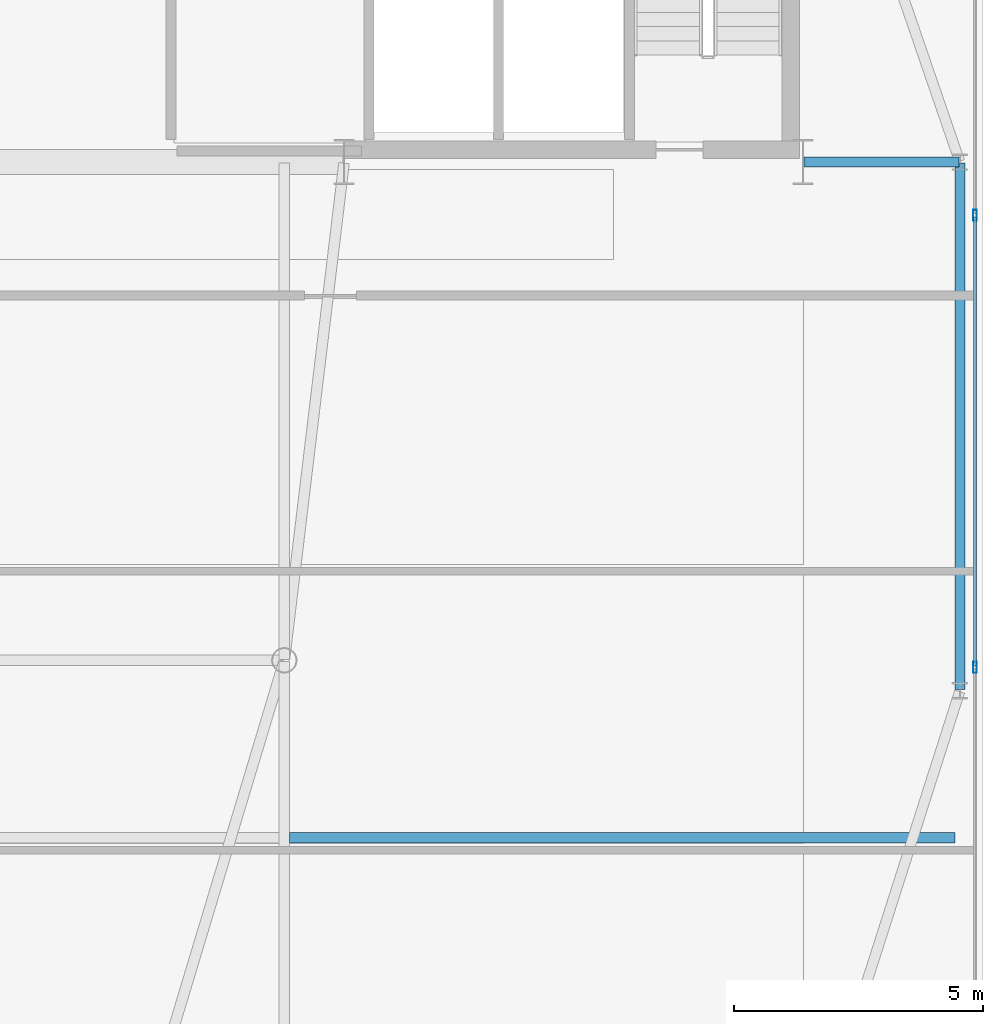
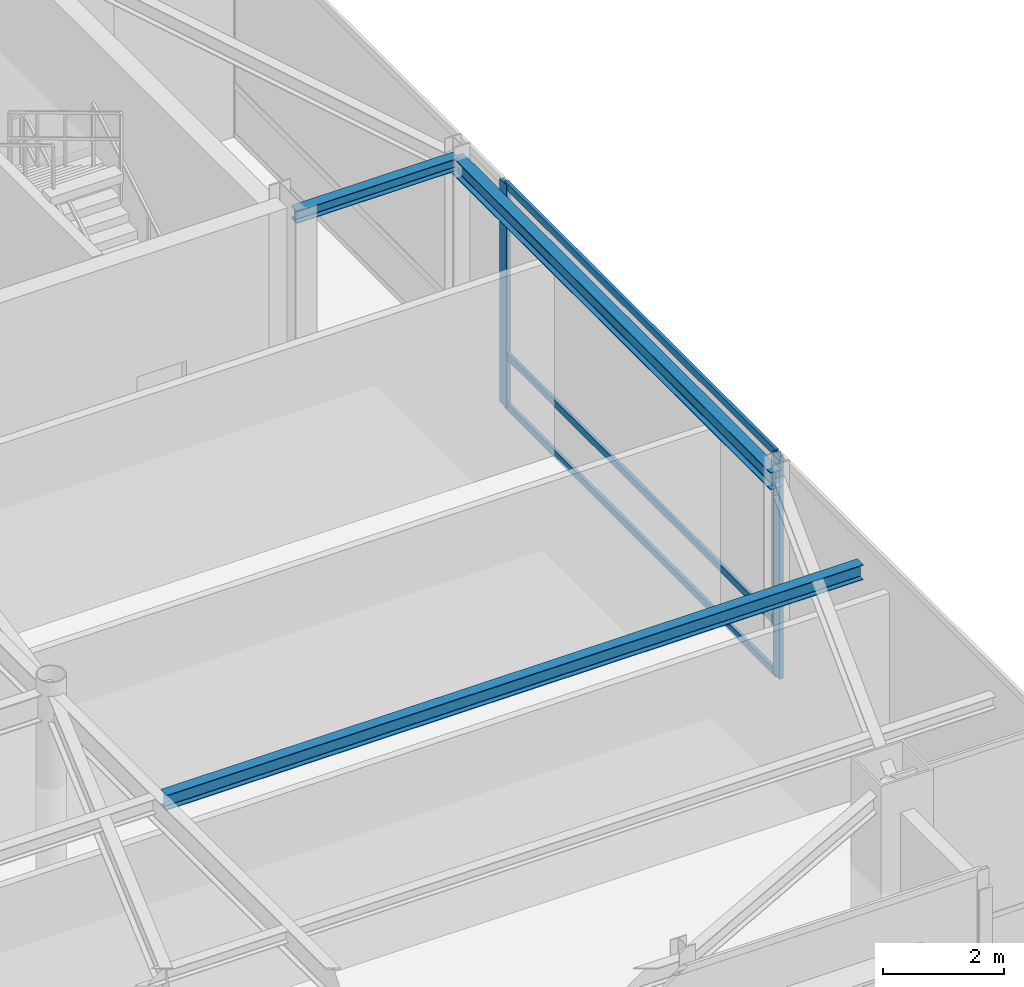
# One storey, part 15 of 21: 5 members, 3 beams, 1 element without a shape of its own.
"""IFC4 building model written with IfcOpenShell, lengths in metres."""

import ifcopenshell
import ifcopenshell.guid

model = None  # the IFC model being written
_history = None  # IfcOwnerHistory: only IFC2X3 demands one
_inside = {}  # id of a spatial element -> (the spatial element, [elements in it])
_under = {}  # id of a project, library or spatial element -> (it, [spatial elements below it])
_declared = {}  # id of a project -> (the project, [libraries it declares])
_typed = {}  # id of a type object -> (the type object, [elements of that type])
_made_of = {}  # id of a material, layer set ... -> (it, [elements and type objects made of it])


def new_model(schema):
    """Start an empty IFC model of exactly this schema.

    Asked for "IFC4X3", IfcOpenShell would pick the latest addendum, in which some entities
    have other attributes; the version numbers below select the first issue.
    IFC2X3 requires an IfcOwnerHistory on every rooted entity: one is made here for all.
    """
    global model, _history
    if schema == "IFC4X3":
        model = ifcopenshell.file(schema_version=(4, 3, 0, 0))
    else:
        model = ifcopenshell.file(schema=schema)
    _inside.clear()
    _under.clear()
    _declared.clear()
    _typed.clear()
    _made_of.clear()
    _history = None
    if model.schema == "IFC2X3":
        org = make("IfcOrganization", Name="unknown")
        user = make(
            "IfcPersonAndOrganization",
            ThePerson=make("IfcPerson", FamilyName="unknown"),
            TheOrganization=org,
        )
        app = make(
            "IfcApplication",
            ApplicationDeveloper=org,
            Version="unknown",
            ApplicationFullName="unknown",
            ApplicationIdentifier="unknown",
        )
        _history = make(
            "IfcOwnerHistory",
            OwningUser=user,
            OwningApplication=app,
            ChangeAction="ADDED",
            CreationDate=0,
        )
    return model


def make(cls, **values):
    """One entity of the class cls with the attributes given. An attribute that is None is left unset."""
    return model.create_entity(
        cls, **{name: value for name, value in values.items() if value is not None}
    )


def rooted(cls, **values):
    """An entity with a GlobalId (a new one), such as an element, a storey or a relation."""
    return make(cls, GlobalId=ifcopenshell.guid.new(), OwnerHistory=_history, **values)


def si_unit(unit_type, name, prefix=None):
    """IfcSIUnit, for example si_unit("LENGTHUNIT", "METRE", prefix="MILLI")."""
    return make("IfcSIUnit", UnitType=unit_type, Prefix=prefix, Name=name)


def assignment(units):
    """IfcUnitAssignment: the units of a project."""
    return None if units is None else make("IfcUnitAssignment", Units=units)


def point(xyz):
    """IfcCartesianPoint."""
    return None if xyz is None else make("IfcCartesianPoint", Coordinates=xyz)


def direction(xyz):
    """IfcDirection."""
    return None if xyz is None else make("IfcDirection", DirectionRatios=xyz)


def frame(location, z_axis=None, x_axis=None):
    """IfcAxis2Placement3D, a coordinate frame: its origin and axes. An axis left out is left unset."""
    return make(
        "IfcAxis2Placement3D",
        Location=point(location),
        Axis=direction(z_axis),
        RefDirection=direction(x_axis),
    )


def frame_2d(location, x_axis=None):
    """IfcAxis2Placement2D, a coordinate frame in the plane: its origin and x axis."""
    return make(
        "IfcAxis2Placement2D", Location=point(location), RefDirection=direction(x_axis)
    )


def origin():
    """The frame at (0, 0, 0) with its axes left unset."""
    return frame((0.0, 0.0, 0.0))


def origin_2d():
    """The frame at (0, 0) in the plane with its x axis left unset."""
    return frame_2d((0.0, 0.0))


def place(relative_to, where):
    """IfcLocalPlacement: puts the frame where relative to a parent placement (None: the world)."""
    return make(
        "IfcLocalPlacement", PlacementRelTo=relative_to, RelativePlacement=where
    )


def context(
    kind, dimensions, precision=None, world=None, true_north=None, identifier=None
):
    """IfcGeometricRepresentationContext, for example the 3D "Model" context."""
    return make(
        "IfcGeometricRepresentationContext",
        ContextIdentifier=identifier,
        ContextType=kind,
        CoordinateSpaceDimension=dimensions,
        Precision=precision,
        WorldCoordinateSystem=world,
        TrueNorth=true_north,
    )


def subcontext(parent, identifier, kind, view, scale=None):
    """IfcGeometricRepresentationSubContext, for example "Body" below "Model"."""
    return make(
        "IfcGeometricRepresentationSubContext",
        ContextIdentifier=identifier,
        ContextType=kind,
        ParentContext=parent,
        TargetScale=scale,
        TargetView=view,
    )


def project(units=None, contexts=None):
    """IfcProject with its units and contexts."""
    return rooted(
        "IfcProject",
        Name="project",
        RepresentationContexts=contexts,
        UnitsInContext=assignment(units),
    )


def spatial(cls, under=None, at=None, **own):
    """A site, building, storey or space (cls), placed at a placement, below another one or the project."""
    s = rooted(cls, ObjectPlacement=at, **own)
    if under is not None:
        _under.setdefault(under.id(), (under, []))[1].append(s)
    return s


def profile(cls, at=None, kind="AREA", **sizes):
    """A parametric profile (cls). Its sizes go by their IFC names, for example OverallWidth=200.0."""
    return make(cls, ProfileType=kind, Position=at, **sizes)


def hollow_rectangle(**sizes):
    """IfcRectangleHollowProfileDef."""
    return profile("IfcRectangleHollowProfileDef", **sizes)


def i_section(**sizes):
    """IfcIShapeProfileDef."""
    return profile("IfcIShapeProfileDef", **sizes)


def extrude(swept, where, along, depth):
    """IfcExtrudedAreaSolid: the profile swept, set in the frame where, extruded along a direction by depth."""
    return make(
        "IfcExtrudedAreaSolid",
        SweptArea=swept,
        Position=where,
        ExtrudedDirection=direction(along),
        Depth=depth,
    )


def shape(context_of_items, identifier, shape_type, items):
    """IfcShapeRepresentation: the items that make up one representation, for example the "Body"."""
    return make(
        "IfcShapeRepresentation",
        ContextOfItems=context_of_items,
        RepresentationIdentifier=identifier,
        RepresentationType=shape_type,
        Items=items,
    )


def source(mapping_origin, context_of_items, identifier, shape_type, items):
    """IfcRepresentationMap: a shape defined once, which mapped items show again and again."""
    return make(
        "IfcRepresentationMap",
        MappingOrigin=mapping_origin,
        MappedRepresentation=shape(context_of_items, identifier, shape_type, items),
    )


def transform(
    local_origin,
    x_axis=None,
    y_axis=None,
    z_axis=None,
    scale=None,
    scale2=None,
    scale3=None,
    uniform=True,
):
    """IfcCartesianTransformationOperator3D, or its non-uniform kind. x_axis, y_axis, z_axis: its Axis1, 2, 3."""
    if uniform:
        return make(
            "IfcCartesianTransformationOperator3D",
            Axis1=direction(x_axis),
            Axis2=direction(y_axis),
            LocalOrigin=point(local_origin),
            Scale=scale,
            Axis3=direction(z_axis),
        )
    return make(
        "IfcCartesianTransformationOperator3DnonUniform",
        Axis1=direction(x_axis),
        Axis2=direction(y_axis),
        LocalOrigin=point(local_origin),
        Scale=scale,
        Axis3=direction(z_axis),
        Scale2=scale2,
        Scale3=scale3,
    )


def mapped(mapping_source, mapping_target):
    """IfcMappedItem: shows the shape of a source again, moved by a transform."""
    return make(
        "IfcMappedItem", MappingSource=mapping_source, MappingTarget=mapping_target
    )


def material(Name=None, Category=None):
    """IfcMaterial."""
    return make("IfcMaterial", Name=Name, Category=Category)


def layer(
    of_material, thickness, ventilated=None, Name=None, Category=None, Priority=None
):
    """IfcMaterialLayer: one layer of a wall or slab, of a material (None: an air gap)."""
    return make(
        "IfcMaterialLayer",
        Material=of_material,
        LayerThickness=thickness,
        IsVentilated=ventilated,
        Name=Name,
        Category=Category,
        Priority=Priority,
    )


def layer_set(layers, Name=None):
    """IfcMaterialLayerSet."""
    return make("IfcMaterialLayerSet", MaterialLayers=layers, LayerSetName=Name)


def material_profile(
    of_material, cross_section, Name=None, Category=None, Priority=None
):
    """IfcMaterialProfile: a cross section and its material."""
    return make(
        "IfcMaterialProfile",
        Name=Name,
        Material=of_material,
        Profile=cross_section,
        Priority=Priority,
        Category=Category,
    )


def profile_set(profiles, Name=None, composite=None):
    """IfcMaterialProfileSet."""
    return make(
        "IfcMaterialProfileSet",
        Name=Name,
        MaterialProfiles=profiles,
        CompositeProfile=composite,
    )


def made_of(thing, what):
    """Note that an element or type object is made of a material, layer set ...; save() writes the relation."""
    if what is not None:
        _made_of.setdefault(what.id(), (what, []))[1].append(thing)
    return thing


def type_object(cls, material=None, **own):
    """A type object (cls), such as IfcWallType, which elements share."""
    return made_of(rooted(cls, **own), material)


def type_shapes(of_type, sources):
    """Give a type object the sources (RepresentationMaps) that its elements show as mapped items."""
    of_type.RepresentationMaps = sources


def element(
    cls,
    number,
    at=None,
    inside=None,
    cuts=None,
    type_object=None,
    material=None,
    context=None,
    identifier="Body",
    shape_type=None,
    held_by="IfcProductDefinitionShape",
    body=None,
    shapes=None,
    **own,
):
    """One element of the class cls, such as IfcWall. Its Tag is "e" and its number.

    at: its placement. inside: the storey or other place that contains it. cuts: it is an
    opening in that element (IfcRelVoidsElement). A single representation is given by context,
    identifier, shape_type and body (its items); several are given by shapes. held_by: the class
    of the entity that holds the representations. save() writes the other relations.
    """
    e = rooted(cls, Tag="e%d" % number, ObjectPlacement=at, **own)
    if body is not None:
        shapes = [shape(context, identifier, shape_type, body)]
    if shapes is not None:
        e.Representation = make(held_by, Representations=shapes)
    if inside is not None:
        _inside.setdefault(inside.id(), (inside, []))[1].append(e)
    if cuts is not None:
        rooted(
            "IfcRelVoidsElement", RelatingBuildingElement=cuts, RelatedOpeningElement=e
        )
    if type_object is not None:
        _typed.setdefault(type_object.id(), (type_object, []))[1].append(e)
    return made_of(e, material)


def aggregate(whole, parts):
    """IfcRelAggregates: a whole, such as a stair, and the parts it consists of."""
    return rooted("IfcRelAggregates", RelatingObject=whole, RelatedObjects=parts)


def save(model, path):
    """Write the relations noted so far, then the file.

    IfcRelAggregates (storeys below a building ...), IfcRelContainedInSpatialStructure (elements
    in a storey), IfcRelDefinesByType, IfcRelAssociatesMaterial and IfcRelDeclares: one each for
    every whole, place, type object, material and project.
    """
    for whole, parts in _under.values():
        aggregate(whole, parts)
    for where, things in _inside.values():
        rooted(
            "IfcRelContainedInSpatialStructure",
            RelatedElements=things,
            RelatingStructure=where,
        )
    for kind, things in _typed.values():
        rooted("IfcRelDefinesByType", RelatedObjects=things, RelatingType=kind)
    for what, things in _made_of.values():
        rooted("IfcRelAssociatesMaterial", RelatedObjects=things, RelatingMaterial=what)
    for by, libraries in _declared.values():
        rooted("IfcRelDeclares", RelatingContext=by, RelatedDefinitions=libraries)
    model.write(path)


model = new_model("IFC4")

# Units and contexts
model_context = context("Model", 3, precision=1e-05, world=origin(), true_north=direction((0.0, 1.0)))
body_context = subcontext(model_context, "Body", "Model", "MODEL_VIEW")
ifc_project = project(units=[si_unit("LENGTHUNIT", "METRE"), si_unit("AREAUNIT", "SQUARE_METRE"), si_unit("VOLUMEUNIT", "CUBIC_METRE"), si_unit("PLANEANGLEUNIT", "RADIAN"), si_unit("MASSUNIT", "GRAM", prefix="KILO")], contexts=[model_context])

# Site, building, storey
site_placement = place(None, origin())
site = spatial("IfcSite", under=ifc_project, at=site_placement, CompositionType="ELEMENT")
building_placement = place(site_placement, origin())
building = spatial("IfcBuilding", under=site, at=building_placement, Name="Varnel Quay Broadcast Tower", CompositionType="ELEMENT")
storey_placement = place(building_placement, frame((0.0, 0.0, 300.199951171875)))
storey = spatial("IfcBuildingStorey", under=building, at=storey_placement, Name="L75", CompositionType="ELEMENT", Elevation=300.199951171875)

# Beams
ifc_material_1 = material(Name="Structural Steel CSA G40.21 350W", Category="steel")
ifc_material_profile_1 = material_profile(ifc_material_1, i_section(OverallWidth=0.205078125, OverallDepth=0.35400390625, WebThickness=0.009521484375, FlangeThickness=0.016845703125, FilletRadius=0.012939453125, at=origin_2d()), Name="W360X79")
ifc_profile_set_1 = profile_set([ifc_material_profile_1], Name="Structural Steel CSA G40.21 350W")
beam_type_1 = type_object("IfcBeamType", Name="Beam_W360X79", PredefinedType="SPANDREL", material=ifc_profile_set_1)
shared_shape_1 = source(origin(), body_context, "Body", "SweptSolid", [
    extrude(i_section(OverallWidth=0.205078125, OverallDepth=0.35400390625, WebThickness=0.009521484375, FlangeThickness=0.016845703125, FilletRadius=0.012939453125, at=origin_2d()), origin(), (0.0, 0.0, 1.0), 10.56005859375),
])
type_shapes(beam_type_1, [shared_shape_1])
beam_1_placement = place(storey_placement, frame((55.550048828125, 25.02001953125, 4.343017578125), z_axis=(0.0, 1.0, 0.0), x_axis=(-1.0, 0.0, 0.0)))
element("IfcBeam", 1, at=beam_1_placement, inside=storey, type_object=beam_type_1, Name="L75 East Spandrel TC-E1-TC-E2", PredefinedType="SPANDREL", context=body_context, shape_type="MappedRepresentation", body=[
    mapped(shared_shape_1, transform((0.0, 0.0, 0.0), x_axis=(1.0, 0.0, 0.0), y_axis=(0.0, 1.0, 0.0), z_axis=(0.0, 0.0, 1.0), scale=1.0)),
])
ifc_material_profile_2 = material_profile(ifc_material_1, i_section(OverallWidth=0.201904296875, OverallDepth=0.2470703125, WebThickness=0.00732421875, FlangeThickness=0.010986328125, FilletRadius=0.010986328125, at=origin_2d()), Name="W250X49")
ifc_profile_set_2 = profile_set([ifc_material_profile_2], Name="Structural Steel CSA G40.21 350W")
beam_type_2 = type_object("IfcBeamType", Name="Beam_W250X49", PredefinedType="JOIST", material=ifc_profile_set_2)
shared_shape_2 = source(origin(), body_context, "Body", "SweptSolid", [
    extrude(i_section(OverallWidth=0.201904296875, OverallDepth=0.2470703125, WebThickness=0.00732421875, FlangeThickness=0.010986328125, FilletRadius=0.010986328125, at=origin_2d()), origin(), (0.0, 0.0, 1.0), 3.110107421875),
])
type_shapes(beam_type_2, [shared_shape_2])
beam_2_placement = place(storey_placement, frame((52.419921875, 35.60009765625, 4.396484375), z_axis=(1.0, 0.0, 0.0), x_axis=(0.0, 1.0, 0.0)))
element("IfcBeam", 2, at=beam_2_placement, inside=storey, type_object=beam_type_2, Name="L75 East Core Tie Joist", PredefinedType="JOIST", context=body_context, shape_type="MappedRepresentation", body=[
    mapped(shared_shape_2, transform((0.0, 0.0, 0.0), x_axis=(1.0, 0.0, 0.0), y_axis=(0.0, 1.0, 0.0), z_axis=(0.0, 0.0, 1.0), scale=1.0)),
])
ifc_material_profile_3 = material_profile(ifc_material_1, i_section(OverallWidth=0.202880859375, OverallDepth=0.302978515625, WebThickness=0.007568359375, FlangeThickness=0.01318359375, FilletRadius=0.011962890625, at=origin_2d()), Name="W310X60")
ifc_profile_set_3 = profile_set([ifc_material_profile_3], Name="Structural Steel CSA G40.21 350W")
beam_type_3 = type_object("IfcBeamType", Name="Beam_W310X60", PredefinedType="JOIST", material=ifc_profile_set_3)
shared_shape_3 = source(origin(), body_context, "Body", "SweptSolid", [
    extrude(i_section(OverallWidth=0.202880859375, OverallDepth=0.302978515625, WebThickness=0.007568359375, FlangeThickness=0.01318359375, FilletRadius=0.011962890625, at=origin_2d()), origin(), (0.0, 0.0, 1.0), 13.351318359375),
])
type_shapes(beam_type_3, [shared_shape_3])
beam_3_placement = place(storey_placement, frame((42.10107421875, 22.050048828125, 4.36865234375), z_axis=(1.0, 0.0, 0.0), x_axis=(0.0, 1.0, 0.0)))
element("IfcBeam", 3, at=beam_3_placement, inside=storey, type_object=beam_type_3, Name="L75 East Floor Joist 2", PredefinedType="JOIST", context=body_context, shape_type="MappedRepresentation", body=[
    mapped(shared_shape_3, transform((0.0, 0.0, 0.0), x_axis=(1.0, 0.0, 0.0), y_axis=(0.0, 1.0, 0.0), z_axis=(0.0, 0.0, 1.0), scale=1.0)),
])

# Curtain wall, members
ifc_material_2 = material(Name="Anodised Bronze Aluminium 6063-T6", Category="aluminium")
ifc_layer = layer(ifc_material_2, 0.18994140625, Name="Anodised Bronze Aluminium 6063-T6")
ifc_layer_set = layer_set([ifc_layer], Name="Anodised Bronze Aluminium 6063-T6")
curtain_wall_type = type_object("IfcCurtainWallType", Name="CW_SkyObsHighVis", PredefinedType="NOTDEFINED", material=ifc_layer_set)
curtain_wall_placement = place(storey_placement, origin())
curtain_wall = element("IfcCurtainWall", 4, at=curtain_wall_placement, inside=storey, type_object=curtain_wall_type, Name="L75 East Unitised Curtain Wall", PredefinedType="NOTDEFINED")
ifc_material_profile_4 = material_profile(ifc_material_2, hollow_rectangle(XDim=0.074951171875, YDim=0.219970703125, WallThickness=0.00390625, at=origin_2d()), Name="ALU75X220X4")
ifc_profile_set_4 = profile_set([ifc_material_profile_4], Name="Anodised Bronze Aluminium 6063-T6")
member_type_1 = type_object("IfcMemberType", Name="Mull_CWS-05", PredefinedType="MULLION", material=ifc_profile_set_4)
shared_shape_4 = source(origin(), body_context, "Body", "SweptSolid", [
    extrude(hollow_rectangle(XDim=0.074951171875, YDim=0.219970703125, WallThickness=0.00390625, at=origin_2d()), origin(), (0.0, 0.0, 1.0), 4.52001953125),
])
type_shapes(member_type_1, [shared_shape_4])
member_1_placement = place(storey_placement, frame((55.85009765625, 25.466552734375, 0.0), z_axis=(0.0, 0.0, 1.0), x_axis=(-1.0, 0.0, 0.0)))
member_1 = element("IfcMember", 5, at=member_1_placement, type_object=member_type_1, Name="CWS-05 mullion 2", PredefinedType="MULLION", context=body_context, shape_type="MappedRepresentation", body=[
    mapped(shared_shape_4, transform((0.0, 0.0, 0.0), x_axis=(1.0, 0.0, 0.0), y_axis=(0.0, 1.0, 0.0), z_axis=(0.0, 0.0, 1.0), scale=1.0)),
])
member_2_placement = place(storey_placement, frame((55.85009765625, 34.533447265625, 0.0), z_axis=(0.0, 0.0, 1.0), x_axis=(-1.0, 0.0, 0.0)))
member_2 = element("IfcMember", 6, at=member_2_placement, type_object=member_type_1, Name="CWS-05 mullion 3", PredefinedType="MULLION", context=body_context, shape_type="MappedRepresentation", body=[
    mapped(shared_shape_4, transform((0.0, 0.0, 0.0), x_axis=(1.0, 0.0, 0.0), y_axis=(0.0, 1.0, 0.0), z_axis=(0.0, 0.0, 1.0), scale=1.0)),
])
ifc_material_profile_5 = material_profile(ifc_material_2, hollow_rectangle(XDim=0.06005859375, YDim=0.14501953125, WallThickness=0.00341796875, at=origin_2d()), Name="ALU60X145X3.5")
ifc_profile_set_5 = profile_set([ifc_material_profile_5], Name="Anodised Bronze Aluminium 6063-T6")
member_type_2 = type_object("IfcMemberType", Name="Tran_CWS-05", PredefinedType="USERDEFINED", material=ifc_profile_set_5)
shared_shape_5 = source(origin(), body_context, "Body", "SweptSolid", [
    extrude(hollow_rectangle(XDim=0.06005859375, YDim=0.14501953125, WallThickness=0.00341796875, at=origin_2d()), origin(), (0.0, 0.0, 1.0), 8.99169921875),
])
type_shapes(member_type_2, [shared_shape_5])
member_3_placement = place(storey_placement, frame((55.85009765625, 25.504150390625, 0.030029296875), z_axis=(0.0, 1.0, 0.0), x_axis=(-1.0, 0.0, 0.0)))
member_3 = element("IfcMember", 7, at=member_3_placement, type_object=member_type_2, Name="CWS-05 transom 2.1", ObjectType="TRANSOM", PredefinedType="USERDEFINED", context=body_context, shape_type="MappedRepresentation", body=[
    mapped(shared_shape_5, transform((0.0, 0.0, 0.0), x_axis=(1.0, 0.0, 0.0), y_axis=(0.0, 1.0, 0.0), z_axis=(0.0, 0.0, 1.0), scale=1.0)),
])
member_4_placement = place(storey_placement, frame((55.85009765625, 25.504150390625, 1.050048828125), z_axis=(0.0, 1.0, 0.0), x_axis=(-1.0, 0.0, 0.0)))
member_4 = element("IfcMember", 8, at=member_4_placement, type_object=member_type_2, Name="CWS-05 transom 2.2", ObjectType="TRANSOM", PredefinedType="USERDEFINED", context=body_context, shape_type="MappedRepresentation", body=[
    mapped(shared_shape_5, transform((0.0, 0.0, 0.0), x_axis=(1.0, 0.0, 0.0), y_axis=(0.0, 1.0, 0.0), z_axis=(0.0, 0.0, 1.0), scale=1.0)),
])
member_5_placement = place(storey_placement, frame((55.85009765625, 25.504150390625, 4.489990234375), z_axis=(0.0, 1.0, 0.0), x_axis=(-1.0, 0.0, 0.0)))
member_5 = element("IfcMember", 9, at=member_5_placement, type_object=member_type_2, Name="CWS-05 transom 2.3", ObjectType="TRANSOM", PredefinedType="USERDEFINED", context=body_context, shape_type="MappedRepresentation", body=[
    mapped(shared_shape_5, transform((0.0, 0.0, 0.0), x_axis=(1.0, 0.0, 0.0), y_axis=(0.0, 1.0, 0.0), z_axis=(0.0, 0.0, 1.0), scale=1.0)),
])
aggregate(curtain_wall, [member_1, member_2, member_3, member_4, member_5])

save(model, "model.ifc")
